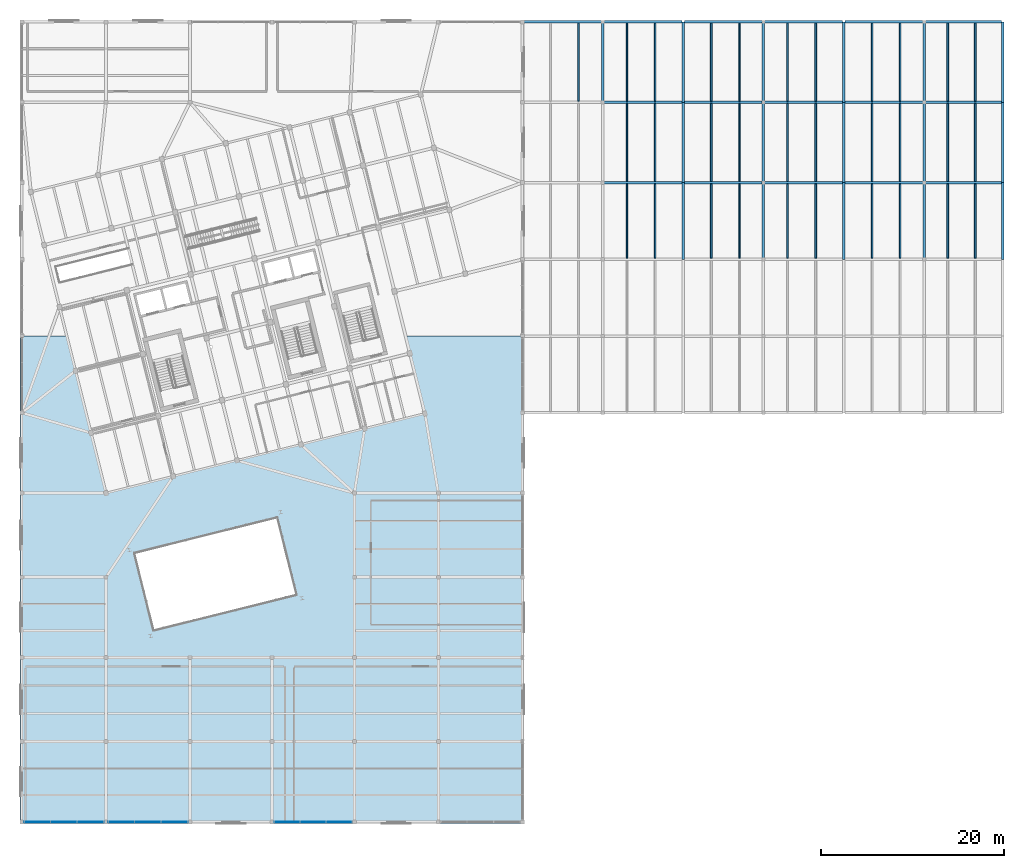
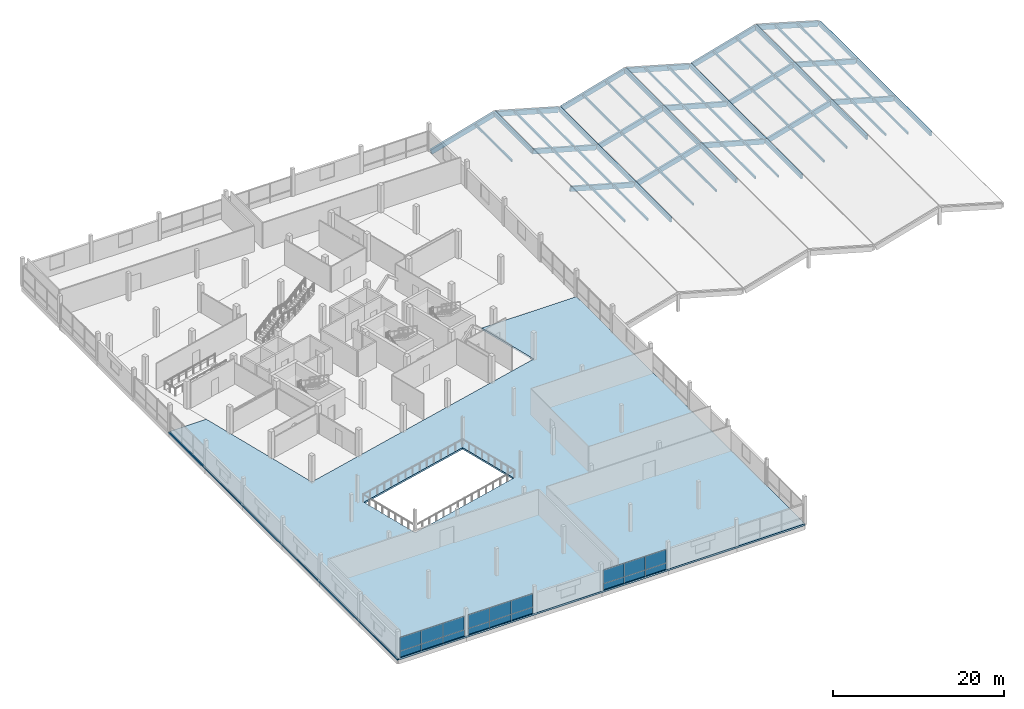
# One storey, part 38 of 47: 32 beams, 31 members, 18 plates, 2 slabs, 3 elements without a shape of their own.
"""IFC4 building model written with IfcOpenShell, lengths in metres."""

from ifc_helpers import new_model, si_unit, direction, frame, origin, origin_2d, place, context, subcontext, project, spatial, polyline, rectangle, outline, extrude, material, layer, layer_set, material_profile, profile_set, type_object, element, aggregate, save


model = new_model("IFC4")

# Units and contexts
model_context = context("Model", 3, precision=1e-05, world=origin(), true_north=direction((0.0, 1.0)))
body_context = subcontext(model_context, "Body", "Model", "MODEL_VIEW")
ifc_project = project(units=[si_unit("LENGTHUNIT", "METRE"), si_unit("AREAUNIT", "SQUARE_METRE"), si_unit("VOLUMEUNIT", "CUBIC_METRE"), si_unit("PLANEANGLEUNIT", "RADIAN"), si_unit("MASSUNIT", "GRAM", prefix="KILO")], contexts=[model_context])

# Site, building, storey
site_placement = place(None, origin())
site = spatial("IfcSite", under=ifc_project, at=site_placement, CompositionType="ELEMENT")
building_placement = place(site_placement, origin())
building = spatial("IfcBuilding", under=site, at=building_placement, Name="Meriwether Solvik Hall", CompositionType="ELEMENT")
storey_placement = place(building_placement, frame((0.0, 0.0, 18.300048828125)))
storey = spatial("IfcBuildingStorey", under=building, at=storey_placement, Name="L04", CompositionType="ELEMENT", Elevation=18.300048828125)

# Beams
ifc_material_1 = material(Name="Glulam Douglas-Fir 24F-V8 GL28h", Category="wood")
ifc_material_profile_1 = material_profile(ifc_material_1, rectangle(XDim=0.27294921875, YDim=0.610107421875, at=origin_2d()), Name="GLB-273X610")
ifc_profile_set_1 = profile_set([ifc_material_profile_1], Name="Glulam Douglas-Fir 24F-V8 GL28h")
beam_type_1 = type_object("IfcBeamType", Name="BM-GL-273X610", PredefinedType="SPANDREL", material=ifc_profile_set_1)
beam_1_placement = place(storey_placement, frame((123.0, 84.0, 2.15576171875), z_axis=(0.0, 1.0, 0.0), x_axis=(-1.0, 0.0, 0.0)))
element("IfcBeam", 1, at=beam_1_placement, inside=storey, type_object=beam_type_1, Name="Roof Tie Beam 14:J-K (L04)", PredefinedType="SPANDREL", context=body_context, shape_type="SweptSolid", body=[
    extrude(rectangle(XDim=0.27294921875, YDim=0.610107421875, at=origin_2d()), origin(), (0.0, 0.0, 1.0), 8.800048828125),
])
beam_2_placement = place(storey_placement, frame((131.800048828125, 66.800048828125, -0.32421875), z_axis=(0.0, 1.0, 0.0), x_axis=(-1.0, 0.0, 0.0)))
element("IfcBeam", 2, at=beam_2_placement, inside=storey, type_object=beam_type_1, Name="Roof Tie Beam 15:H-I (L04)", PredefinedType="SPANDREL", context=body_context, shape_type="SweptSolid", body=[
    extrude(rectangle(XDim=0.27294921875, YDim=0.610107421875, at=origin_2d()), origin(), (0.0, 0.0, 1.0), 8.39990234375),
])
for number, where, z_axis, x_axis, name in (
    (3, (131.800048828125, 75.199951171875, -0.32421875), (0.0, 1.0, 0.0), (-1.0, 0.0, 0.0), "Roof Tie Beam 15:I-J (L04)"),
    (4, (131.800048828125, 84.0, -0.32421875), (0.0, 1.0, 0.0), (-1.0, 0.0, 0.0), "Roof Tie Beam 15:J-K (L04)"),
):
    element("IfcBeam", number, at=place(storey_placement, frame(where, z_axis=z_axis, x_axis=x_axis)), inside=storey, type_object=beam_type_1, Name=name, PredefinedType="SPANDREL", context=body_context, shape_type="SweptSolid", body=[
        extrude(rectangle(XDim=0.27294921875, YDim=0.610107421875, at=origin_2d()), origin(), (0.0, 0.0, 1.0), 8.800048828125),
    ])
beam_3_placement = place(storey_placement, frame((140.60009765625, 66.800048828125, 2.15576171875), z_axis=(0.0, 1.0, 0.0), x_axis=(-1.0, 0.0, 0.0)))
element("IfcBeam", 5, at=beam_3_placement, inside=storey, type_object=beam_type_1, Name="Roof Tie Beam 16:H-I (L04)", PredefinedType="SPANDREL", context=body_context, shape_type="SweptSolid", body=[
    extrude(rectangle(XDim=0.27294921875, YDim=0.610107421875, at=origin_2d()), origin(), (0.0, 0.0, 1.0), 8.39990234375),
])
for number, where, z_axis, x_axis, name in (
    (6, (140.60009765625, 75.199951171875, 2.15576171875), (0.0, 1.0, 0.0), (-1.0, 0.0, 0.0), "Roof Tie Beam 16:I-J (L04)"),
    (7, (140.60009765625, 84.0, 2.15576171875), (0.0, 1.0, 0.0), (-1.0, 0.0, 0.0), "Roof Tie Beam 16:J-K (L04)"),
):
    element("IfcBeam", number, at=place(storey_placement, frame(where, z_axis=z_axis, x_axis=x_axis)), inside=storey, type_object=beam_type_1, Name=name, PredefinedType="SPANDREL", context=body_context, shape_type="SweptSolid", body=[
        extrude(rectangle(XDim=0.27294921875, YDim=0.610107421875, at=origin_2d()), origin(), (0.0, 0.0, 1.0), 8.800048828125),
    ])
beam_4_placement = place(storey_placement, frame((149.39990234375, 66.800048828125, -0.32421875), z_axis=(0.0, 1.0, 0.0), x_axis=(-1.0, 0.0, 0.0)))
element("IfcBeam", 8, at=beam_4_placement, inside=storey, type_object=beam_type_1, Name="Roof Tie Beam 17:H-I (L04)", PredefinedType="SPANDREL", context=body_context, shape_type="SweptSolid", body=[
    extrude(rectangle(XDim=0.27294921875, YDim=0.610107421875, at=origin_2d()), origin(), (0.0, 0.0, 1.0), 8.39990234375),
])
for number, where, z_axis, x_axis, name in (
    (9, (149.39990234375, 75.199951171875, -0.32421875), (0.0, 1.0, 0.0), (-1.0, 0.0, 0.0), "Roof Tie Beam 17:I-J (L04)"),
    (10, (149.39990234375, 84.0, -0.32421875), (0.0, 1.0, 0.0), (-1.0, 0.0, 0.0), "Roof Tie Beam 17:J-K (L04)"),
):
    element("IfcBeam", number, at=place(storey_placement, frame(where, z_axis=z_axis, x_axis=x_axis)), inside=storey, type_object=beam_type_1, Name=name, PredefinedType="SPANDREL", context=body_context, shape_type="SweptSolid", body=[
        extrude(rectangle(XDim=0.27294921875, YDim=0.610107421875, at=origin_2d()), origin(), (0.0, 0.0, 1.0), 8.800048828125),
    ])
beam_5_placement = place(storey_placement, frame((158.199951171875, 66.800048828125, 2.15576171875), z_axis=(0.0, 1.0, 0.0), x_axis=(-1.0, 0.0, 0.0)))
element("IfcBeam", 11, at=beam_5_placement, inside=storey, type_object=beam_type_1, Name="Roof Tie Beam 18:H-I (L04)", PredefinedType="SPANDREL", context=body_context, shape_type="SweptSolid", body=[
    extrude(rectangle(XDim=0.27294921875, YDim=0.610107421875, at=origin_2d()), origin(), (0.0, 0.0, 1.0), 8.39990234375),
])
for number, where, z_axis, x_axis, name in (
    (12, (158.199951171875, 75.199951171875, 2.15576171875), (0.0, 1.0, 0.0), (-1.0, 0.0, 0.0), "Roof Tie Beam 18:I-J (L04)"),
    (13, (158.199951171875, 84.0, 2.15576171875), (0.0, 1.0, 0.0), (-1.0, 0.0, 0.0), "Roof Tie Beam 18:J-K (L04)"),
):
    element("IfcBeam", number, at=place(storey_placement, frame(where, z_axis=z_axis, x_axis=x_axis)), inside=storey, type_object=beam_type_1, Name=name, PredefinedType="SPANDREL", context=body_context, shape_type="SweptSolid", body=[
        extrude(rectangle(XDim=0.27294921875, YDim=0.610107421875, at=origin_2d()), origin(), (0.0, 0.0, 1.0), 8.800048828125),
    ])
beam_6_placement = place(storey_placement, frame((166.800048828125, 66.800048828125, -0.324462890625), z_axis=(0.0, 1.0, 0.0), x_axis=(-1.0, 0.0, 0.0)))
element("IfcBeam", 14, at=beam_6_placement, inside=storey, type_object=beam_type_1, Name="Roof Tie Beam 19:H-I (L04)", PredefinedType="SPANDREL", context=body_context, shape_type="SweptSolid", body=[
    extrude(rectangle(XDim=0.27294921875, YDim=0.610107421875, at=origin_2d()), origin(), (0.0, 0.0, 1.0), 8.39990234375),
])
for number, where, z_axis, x_axis, name in (
    (15, (166.800048828125, 75.199951171875, -0.324462890625), (0.0, 1.0, 0.0), (-1.0, 0.0, 0.0), "Roof Tie Beam 19:I-J (L04)"),
    (16, (166.800048828125, 84.0, -0.324462890625), (0.0, 1.0, 0.0), (-1.0, 0.0, 0.0), "Roof Tie Beam 19:J-K (L04)"),
):
    element("IfcBeam", number, at=place(storey_placement, frame(where, z_axis=z_axis, x_axis=x_axis)), inside=storey, type_object=beam_type_1, Name=name, PredefinedType="SPANDREL", context=body_context, shape_type="SweptSolid", body=[
        extrude(rectangle(XDim=0.27294921875, YDim=0.610107421875, at=origin_2d()), origin(), (0.0, 0.0, 1.0), 8.800048828125),
    ])
ifc_material_2 = material(Name="Glulam Douglas-Fir 24F-V8 GL28h", Category="wood")
ifc_material_profile_2 = material_profile(ifc_material_2, rectangle(XDim=0.27294921875, YDim=0.68505859375, at=origin_2d()), Name="GLB-273X685")
ifc_profile_set_2 = profile_set([ifc_material_profile_2], Name="Glulam Douglas-Fir 24F-V8 GL28h")
beam_type_2 = type_object("IfcBeamType", Name="BM-GL-273X685", PredefinedType="BEAM", material=ifc_profile_set_2)
for number, where, z_axis, x_axis, name in (
    (17, (114.4208984375, 92.800048828125, -0.31298828125), (0.962504746474, 0.0, 0.271264839252), (0.0, 1.0, 0.0), "Raking Glulam Roof Rafter w3_fold_1w-K (L04)"),
    (18, (131.5791015625, 75.199951171875, -0.31298828125), (-0.962504746474, 0.0, 0.271264839252), (0.0, -1.0, 0.0), "Raking Glulam Roof Rafter w3_fold_1e-I (L04)"),
    (19, (131.5791015625, 84.0, -0.31298828125), (-0.962504746474, 0.0, 0.271264839252), (0.0, -1.0, 0.0), "Raking Glulam Roof Rafter w3_fold_1e-J (L04)"),
    (20, (131.5791015625, 92.800048828125, -0.31298828125), (-0.962504746474, 0.0, 0.271264839252), (0.0, -1.0, 0.0), "Raking Glulam Roof Rafter w3_fold_1e-K (L04)"),
    (21, (132.02099609375, 75.199951171875, -0.31298828125), (0.962504746474, 0.0, 0.271264839252), (0.0, 1.0, 0.0), "Raking Glulam Roof Rafter w3_fold_2w-I (L04)"),
    (22, (132.02099609375, 84.0, -0.31298828125), (0.962504746474, 0.0, 0.271264839252), (0.0, 1.0, 0.0), "Raking Glulam Roof Rafter w3_fold_2w-J (L04)"),
    (23, (132.02099609375, 92.800048828125, -0.31298828125), (0.962504746474, 0.0, 0.271264839252), (0.0, 1.0, 0.0), "Raking Glulam Roof Rafter w3_fold_2w-K (L04)"),
):
    element("IfcBeam", number, at=place(storey_placement, frame(where, z_axis=z_axis, x_axis=x_axis)), inside=storey, type_object=beam_type_2, Name=name, PredefinedType="BEAM", context=body_context, shape_type="SweptSolid", body=[
        extrude(rectangle(XDim=0.27294921875, YDim=0.68505859375, at=origin_2d()), origin(), (0.0, 0.0, 1.0), 8.876708984375),
    ])
for number, where, z_axis, x_axis, name in (
    (24, (149.17919921875, 75.199951171875, -0.31298828125), (-0.962506770212, 0.0, 0.271257658502), (0.0, -1.0, 0.0), "Raking Glulam Roof Rafter w3_fold_2e-I (L04)"),
    (25, (149.17919921875, 84.0, -0.31298828125), (-0.962506770212, 0.0, 0.271257658502), (0.0, -1.0, 0.0), "Raking Glulam Roof Rafter w3_fold_2e-J (L04)"),
    (26, (149.17919921875, 92.800048828125, -0.31298828125), (-0.962506770212, 0.0, 0.271257658502), (0.0, -1.0, 0.0), "Raking Glulam Roof Rafter w3_fold_2e-K (L04)"),
):
    element("IfcBeam", number, at=place(storey_placement, frame(where, z_axis=z_axis, x_axis=x_axis)), inside=storey, type_object=beam_type_2, Name=name, PredefinedType="BEAM", context=body_context, shape_type="SweptSolid", body=[
        extrude(rectangle(XDim=0.27294921875, YDim=0.68505859375, at=origin_2d()), origin(), (0.0, 0.0, 1.0), 8.876953125),
    ])
for number, where, z_axis, x_axis, name in (
    (27, (149.620849609375, 75.199951171875, -0.31298828125), (0.962504746474, 0.0, 0.271264839252), (0.0, 1.0, 0.0), "Raking Glulam Roof Rafter w3_fold_3w-I (L04)"),
    (28, (149.620849609375, 84.0, -0.31298828125), (0.962504746474, 0.0, 0.271264839252), (0.0, 1.0, 0.0), "Raking Glulam Roof Rafter w3_fold_3w-J (L04)"),
    (29, (149.620849609375, 92.800048828125, -0.31298828125), (0.962504746474, 0.0, 0.271264839252), (0.0, 1.0, 0.0), "Raking Glulam Roof Rafter w3_fold_3w-K (L04)"),
):
    element("IfcBeam", number, at=place(storey_placement, frame(where, z_axis=z_axis, x_axis=x_axis)), inside=storey, type_object=beam_type_2, Name=name, PredefinedType="BEAM", context=body_context, shape_type="SweptSolid", body=[
        extrude(rectangle(XDim=0.27294921875, YDim=0.68505859375, at=origin_2d()), origin(), (0.0, 0.0, 1.0), 8.876708984375),
    ])
for number, where, z_axis, x_axis, name in (
    (30, (166.5771484375, 75.199951171875, -0.311767578125), (-0.960844177136, 0.0, 0.277089276702), (0.0, -1.0, 0.0), "Raking Glulam Roof Rafter w3_fold_3e-I (L04)"),
    (31, (166.5771484375, 84.0, -0.311767578125), (-0.960844177136, 0.0, 0.277089276702), (0.0, -1.0, 0.0), "Raking Glulam Roof Rafter w3_fold_3e-J (L04)"),
    (32, (166.5771484375, 92.800048828125, -0.311767578125), (-0.960844177136, 0.0, 0.277089276702), (0.0, -1.0, 0.0), "Raking Glulam Roof Rafter w3_fold_3e-K (L04)"),
):
    element("IfcBeam", number, at=place(storey_placement, frame(where, z_axis=z_axis, x_axis=x_axis)), inside=storey, type_object=beam_type_2, Name=name, PredefinedType="BEAM", context=body_context, shape_type="SweptSolid", body=[
        extrude(rectangle(XDim=0.27294921875, YDim=0.68505859375, at=origin_2d()), origin(), (0.0, 0.0, 1.0), 8.68408203125),
    ])

# Members
ifc_material_3 = material(Name="Glulam Douglas-Fir 24F-V8 GL28h", Category="wood")
ifc_material_profile_3 = material_profile(ifc_material_3, rectangle(XDim=0.175048828125, YDim=0.304931640625, at=origin_2d()), Name="GLM-175X305")
ifc_profile_set_3 = profile_set([ifc_material_profile_3], Name="Glulam Douglas-Fir 24F-V8 GL28h")
member_type = type_object("IfcMemberType", Name="MEM-PRL-GL175", PredefinedType="PURLIN", material=ifc_profile_set_3)
member_placement = place(storey_placement, frame((120.360107421875, 84.132568359375, 1.564208984375), z_axis=(0.0, 1.0, 0.0), x_axis=(-1.0, 0.0, 0.0)))
element("IfcMember", 33, at=member_placement, inside=storey, type_object=member_type, Name="Sloped Roof Glulam Purlin w3_fold_1w-5.2", PredefinedType="PURLIN", context=body_context, shape_type="SweptSolid", body=[
    extrude(rectangle(XDim=0.175048828125, YDim=0.304931640625, at=origin_2d()), origin(), (0.0, 0.0, 1.0), 8.534912109375),
])
for number, where, z_axis, x_axis, name in (
    (34, (128.719970703125, 66.9326171875, 0.6962890625), (0.0, 1.0, 0.0), (-1.0, 0.0, 0.0), "Sloped Roof Glulam Purlin w3_fold_1e-3.1"),
    (35, (125.639892578125, 66.9326171875, 1.564208984375), (0.0, 1.0, 0.0), (-1.0, 0.0, 0.0), "Sloped Roof Glulam Purlin w3_fold_1e-3.2"),
):
    element("IfcMember", number, at=place(storey_placement, frame(where, z_axis=z_axis, x_axis=x_axis)), inside=storey, type_object=member_type, Name=name, PredefinedType="PURLIN", context=body_context, shape_type="SweptSolid", body=[
        extrude(rectangle(XDim=0.175048828125, YDim=0.304931640625, at=origin_2d()), origin(), (0.0, 0.0, 1.0), 8.134765625),
    ])
for number, where, z_axis, x_axis, name in (
    (36, (128.719970703125, 75.33251953125, 0.6962890625), (0.0, 1.0, 0.0), (-1.0, 0.0, 0.0), "Sloped Roof Glulam Purlin w3_fold_1e-4.1"),
    (37, (125.639892578125, 75.33251953125, 1.564208984375), (0.0, 1.0, 0.0), (-1.0, 0.0, 0.0), "Sloped Roof Glulam Purlin w3_fold_1e-4.2"),
    (38, (128.719970703125, 84.132568359375, 0.6962890625), (0.0, 1.0, 0.0), (-1.0, 0.0, 0.0), "Sloped Roof Glulam Purlin w3_fold_1e-5.1"),
    (39, (125.639892578125, 84.132568359375, 1.564208984375), (0.0, 1.0, 0.0), (-1.0, 0.0, 0.0), "Sloped Roof Glulam Purlin w3_fold_1e-5.2"),
):
    element("IfcMember", number, at=place(storey_placement, frame(where, z_axis=z_axis, x_axis=x_axis)), inside=storey, type_object=member_type, Name=name, PredefinedType="PURLIN", context=body_context, shape_type="SweptSolid", body=[
        extrude(rectangle(XDim=0.175048828125, YDim=0.304931640625, at=origin_2d()), origin(), (0.0, 0.0, 1.0), 8.534912109375),
    ])
for number, where, z_axis, x_axis, name in (
    (40, (134.8798828125, 66.9326171875, 0.6962890625), (0.0, 1.0, 0.0), (-1.0, 0.0, 0.0), "Sloped Roof Glulam Purlin w3_fold_2w-3.1"),
    (41, (137.9599609375, 66.9326171875, 1.564208984375), (0.0, 1.0, 0.0), (-1.0, 0.0, 0.0), "Sloped Roof Glulam Purlin w3_fold_2w-3.2"),
):
    element("IfcMember", number, at=place(storey_placement, frame(where, z_axis=z_axis, x_axis=x_axis)), inside=storey, type_object=member_type, Name=name, PredefinedType="PURLIN", context=body_context, shape_type="SweptSolid", body=[
        extrude(rectangle(XDim=0.175048828125, YDim=0.304931640625, at=origin_2d()), origin(), (0.0, 0.0, 1.0), 8.134765625),
    ])
for number, where, z_axis, x_axis, name in (
    (42, (134.8798828125, 75.33251953125, 0.6962890625), (0.0, 1.0, 0.0), (-1.0, 0.0, 0.0), "Sloped Roof Glulam Purlin w3_fold_2w-4.1"),
    (43, (137.9599609375, 75.33251953125, 1.564208984375), (0.0, 1.0, 0.0), (-1.0, 0.0, 0.0), "Sloped Roof Glulam Purlin w3_fold_2w-4.2"),
    (44, (134.8798828125, 84.132568359375, 0.6962890625), (0.0, 1.0, 0.0), (-1.0, 0.0, 0.0), "Sloped Roof Glulam Purlin w3_fold_2w-5.1"),
    (45, (137.9599609375, 84.132568359375, 1.564208984375), (0.0, 1.0, 0.0), (-1.0, 0.0, 0.0), "Sloped Roof Glulam Purlin w3_fold_2w-5.2"),
):
    element("IfcMember", number, at=place(storey_placement, frame(where, z_axis=z_axis, x_axis=x_axis)), inside=storey, type_object=member_type, Name=name, PredefinedType="PURLIN", context=body_context, shape_type="SweptSolid", body=[
        extrude(rectangle(XDim=0.175048828125, YDim=0.304931640625, at=origin_2d()), origin(), (0.0, 0.0, 1.0), 8.534912109375),
    ])
for number, where, z_axis, x_axis, name in (
    (46, (146.320068359375, 66.9326171875, 0.6962890625), (0.0, 1.0, 0.0), (-1.0, 0.0, 0.0), "Sloped Roof Glulam Purlin w3_fold_2e-3.1"),
    (47, (143.239990234375, 66.9326171875, 1.564208984375), (0.0, 1.0, 0.0), (-1.0, 0.0, 0.0), "Sloped Roof Glulam Purlin w3_fold_2e-3.2"),
):
    element("IfcMember", number, at=place(storey_placement, frame(where, z_axis=z_axis, x_axis=x_axis)), inside=storey, type_object=member_type, Name=name, PredefinedType="PURLIN", context=body_context, shape_type="SweptSolid", body=[
        extrude(rectangle(XDim=0.175048828125, YDim=0.304931640625, at=origin_2d()), origin(), (0.0, 0.0, 1.0), 8.134765625),
    ])
for number, where, z_axis, x_axis, name in (
    (48, (146.320068359375, 75.33251953125, 0.6962890625), (0.0, 1.0, 0.0), (-1.0, 0.0, 0.0), "Sloped Roof Glulam Purlin w3_fold_2e-4.1"),
    (49, (143.239990234375, 75.33251953125, 1.564208984375), (0.0, 1.0, 0.0), (-1.0, 0.0, 0.0), "Sloped Roof Glulam Purlin w3_fold_2e-4.2"),
    (50, (146.320068359375, 84.132568359375, 0.6962890625), (0.0, 1.0, 0.0), (-1.0, 0.0, 0.0), "Sloped Roof Glulam Purlin w3_fold_2e-5.1"),
    (51, (143.239990234375, 84.132568359375, 1.564208984375), (0.0, 1.0, 0.0), (-1.0, 0.0, 0.0), "Sloped Roof Glulam Purlin w3_fold_2e-5.2"),
):
    element("IfcMember", number, at=place(storey_placement, frame(where, z_axis=z_axis, x_axis=x_axis)), inside=storey, type_object=member_type, Name=name, PredefinedType="PURLIN", context=body_context, shape_type="SweptSolid", body=[
        extrude(rectangle(XDim=0.175048828125, YDim=0.304931640625, at=origin_2d()), origin(), (0.0, 0.0, 1.0), 8.534912109375),
    ])
for number, where, z_axis, x_axis, name in (
    (52, (152.47998046875, 66.9326171875, 0.6962890625), (0.0, 1.0, 0.0), (-1.0, 0.0, 0.0), "Sloped Roof Glulam Purlin w3_fold_3w-3.1"),
    (53, (155.56005859375, 66.9326171875, 1.564208984375), (0.0, 1.0, 0.0), (-1.0, 0.0, 0.0), "Sloped Roof Glulam Purlin w3_fold_3w-3.2"),
):
    element("IfcMember", number, at=place(storey_placement, frame(where, z_axis=z_axis, x_axis=x_axis)), inside=storey, type_object=member_type, Name=name, PredefinedType="PURLIN", context=body_context, shape_type="SweptSolid", body=[
        extrude(rectangle(XDim=0.175048828125, YDim=0.304931640625, at=origin_2d()), origin(), (0.0, 0.0, 1.0), 8.134765625),
    ])
for number, where, z_axis, x_axis, name in (
    (54, (152.47998046875, 75.33251953125, 0.6962890625), (0.0, 1.0, 0.0), (-1.0, 0.0, 0.0), "Sloped Roof Glulam Purlin w3_fold_3w-4.1"),
    (55, (155.56005859375, 75.33251953125, 1.564208984375), (0.0, 1.0, 0.0), (-1.0, 0.0, 0.0), "Sloped Roof Glulam Purlin w3_fold_3w-4.2"),
    (56, (152.47998046875, 84.132568359375, 0.6962890625), (0.0, 1.0, 0.0), (-1.0, 0.0, 0.0), "Sloped Roof Glulam Purlin w3_fold_3w-5.1"),
    (57, (155.56005859375, 84.132568359375, 1.564208984375), (0.0, 1.0, 0.0), (-1.0, 0.0, 0.0), "Sloped Roof Glulam Purlin w3_fold_3w-5.2"),
):
    element("IfcMember", number, at=place(storey_placement, frame(where, z_axis=z_axis, x_axis=x_axis)), inside=storey, type_object=member_type, Name=name, PredefinedType="PURLIN", context=body_context, shape_type="SweptSolid", body=[
        extrude(rectangle(XDim=0.175048828125, YDim=0.304931640625, at=origin_2d()), origin(), (0.0, 0.0, 1.0), 8.534912109375),
    ])
for number, where, z_axis, x_axis, name in (
    (58, (163.7900390625, 66.9326171875, 0.696044921875), (0.0, 1.0, 0.0), (-1.0, 0.0, 0.0), "Sloped Roof Glulam Purlin w3_fold_3e-3.1"),
    (59, (160.780029296875, 66.9326171875, 1.56396484375), (0.0, 1.0, 0.0), (-1.0, 0.0, 0.0), "Sloped Roof Glulam Purlin w3_fold_3e-3.2"),
):
    element("IfcMember", number, at=place(storey_placement, frame(where, z_axis=z_axis, x_axis=x_axis)), inside=storey, type_object=member_type, Name=name, PredefinedType="PURLIN", context=body_context, shape_type="SweptSolid", body=[
        extrude(rectangle(XDim=0.175048828125, YDim=0.304931640625, at=origin_2d()), origin(), (0.0, 0.0, 1.0), 8.134765625),
    ])
for number, where, z_axis, x_axis, name in (
    (60, (163.7900390625, 75.33251953125, 0.696044921875), (0.0, 1.0, 0.0), (-1.0, 0.0, 0.0), "Sloped Roof Glulam Purlin w3_fold_3e-4.1"),
    (61, (160.780029296875, 75.33251953125, 1.56396484375), (0.0, 1.0, 0.0), (-1.0, 0.0, 0.0), "Sloped Roof Glulam Purlin w3_fold_3e-4.2"),
    (62, (163.7900390625, 84.132568359375, 0.696044921875), (0.0, 1.0, 0.0), (-1.0, 0.0, 0.0), "Sloped Roof Glulam Purlin w3_fold_3e-5.1"),
    (63, (160.780029296875, 84.132568359375, 1.56396484375), (0.0, 1.0, 0.0), (-1.0, 0.0, 0.0), "Sloped Roof Glulam Purlin w3_fold_3e-5.2"),
):
    element("IfcMember", number, at=place(storey_placement, frame(where, z_axis=z_axis, x_axis=x_axis)), inside=storey, type_object=member_type, Name=name, PredefinedType="PURLIN", context=body_context, shape_type="SweptSolid", body=[
        extrude(rectangle(XDim=0.175048828125, YDim=0.304931640625, at=origin_2d()), origin(), (0.0, 0.0, 1.0), 8.534912109375),
    ])

# Curtain wall, plates
ifc_material_4 = material(Name="Thermally Broken Anodised Aluminium 6063-T6 and Low-E Glass", Category="aluminium")
ifc_layer_1 = layer(ifc_material_4, 0.179931640625)
ifc_layer_set_1 = layer_set([ifc_layer_1], Name="Thermally Broken Anodised Aluminium 6063-T6 and Low-E Glass")
curtain_wall_type = type_object("IfcCurtainWallType", Name="CW-UNIT-E", PredefinedType="USERDEFINED", material=ifc_layer_set_1)
curtain_wall_1_placement = place(storey_placement, origin())
curtain_wall_1 = element("IfcCurtainWall", 64, at=curtain_wall_1_placement, inside=storey, type_object=curtain_wall_type, Name="Curtain Wall wing_XA_7_0 (L04)", ObjectType="UNITISED CURTAIN WALL", PredefinedType="USERDEFINED")
ifc_material_5 = material(Name="Low-Emissivity Double-Glazed Laminated Glass", Category="glass")
ifc_layer_2 = layer(ifc_material_5, 0.031982421875)
ifc_layer_set_2 = layer_set([ifc_layer_2], Name="Low-Emissivity Double-Glazed Laminated Glass")
plate_type_1 = type_object("IfcPlateType", Name="PLT-GLZ-225X195", PredefinedType="CURTAIN_PANEL", material=ifc_layer_set_2)
plate_1_placement = place(storey_placement, frame((66.899658203125, 5.199951171875, 0.8564453125), z_axis=(0.0, 0.0, 1.0), x_axis=(-1.0, 0.0, 0.0)))
plate_1 = element("IfcPlate", 65, at=plate_1_placement, type_object=plate_type_1, Name="Low-E Vision Glazing Panel 1", PredefinedType="CURTAIN_PANEL", context=body_context, shape_type="SweptSolid", body=[
    extrude(rectangle(XDim=2.872802734375, YDim=0.033935546875, at=origin_2d()), origin(), (0.0, 0.0, 1.0), 1.9384765625),
])
plate_2_placement = place(storey_placement, frame((64.0, 5.199951171875, 0.8564453125), z_axis=(0.0, 0.0, 1.0), x_axis=(-1.0, 0.0, 0.0)))
plate_2 = element("IfcPlate", 66, at=plate_2_placement, type_object=plate_type_1, Name="Low-E Vision Glazing Panel 2", PredefinedType="CURTAIN_PANEL", context=body_context, shape_type="SweptSolid", body=[
    extrude(rectangle(XDim=2.91064453125, YDim=0.033935546875, at=origin_2d()), origin(), (0.0, 0.0, 1.0), 1.9384765625),
])
plate_3_placement = place(storey_placement, frame((61.100341796875, 5.199951171875, 0.8564453125), z_axis=(0.0, 0.0, 1.0), x_axis=(-1.0, 0.0, 0.0)))
plate_3 = element("IfcPlate", 67, at=plate_3_placement, type_object=plate_type_1, Name="Low-E Vision Glazing Panel 3", PredefinedType="CURTAIN_PANEL", context=body_context, shape_type="SweptSolid", body=[
    extrude(rectangle(XDim=2.872802734375, YDim=0.033935546875, at=origin_2d()), origin(), (0.0, 0.0, 1.0), 1.9384765625),
])

curtain_wall_2_placement = place(storey_placement, origin())
curtain_wall_2 = element("IfcCurtainWall", 68, at=curtain_wall_2_placement, inside=storey, type_object=curtain_wall_type, Name="Curtain Wall wing_XA_8_1 (L04)", ObjectType="UNITISED CURTAIN WALL", PredefinedType="USERDEFINED")
plate_4_placement = place(storey_placement, frame((76.099609375, 5.199951171875, 0.8564453125), z_axis=(0.0, 0.0, 1.0), x_axis=(-1.0, 0.0, 0.0)))
plate_4 = element("IfcPlate", 69, at=plate_4_placement, type_object=plate_type_1, Name="Low-E Vision Glazing Panel 1", PredefinedType="CURTAIN_PANEL", context=body_context, shape_type="SweptSolid", body=[
    extrude(rectangle(XDim=2.872802734375, YDim=0.033935546875, at=origin_2d()), origin(), (0.0, 0.0, 1.0), 1.9384765625),
])
plate_5_placement = place(storey_placement, frame((73.199951171875, 5.199951171875, 0.8564453125), z_axis=(0.0, 0.0, 1.0), x_axis=(-1.0, 0.0, 0.0)))
plate_5 = element("IfcPlate", 70, at=plate_5_placement, type_object=plate_type_1, Name="Low-E Vision Glazing Panel 2", PredefinedType="CURTAIN_PANEL", context=body_context, shape_type="SweptSolid", body=[
    extrude(rectangle(XDim=2.91064453125, YDim=0.033935546875, at=origin_2d()), origin(), (0.0, 0.0, 1.0), 1.9384765625),
])
plate_6_placement = place(storey_placement, frame((70.30029296875, 5.199951171875, 0.8564453125), z_axis=(0.0, 0.0, 1.0), x_axis=(-1.0, 0.0, 0.0)))
plate_6 = element("IfcPlate", 71, at=plate_6_placement, type_object=plate_type_1, Name="Low-E Vision Glazing Panel 3", PredefinedType="CURTAIN_PANEL", context=body_context, shape_type="SweptSolid", body=[
    extrude(rectangle(XDim=2.872802734375, YDim=0.033935546875, at=origin_2d()), origin(), (0.0, 0.0, 1.0), 1.9384765625),
])

curtain_wall_3_placement = place(storey_placement, origin())
curtain_wall_3 = element("IfcCurtainWall", 72, at=curtain_wall_3_placement, inside=storey, type_object=curtain_wall_type, Name="Curtain Wall wing_XA_10_3 (L04)", ObjectType="UNITISED CURTAIN WALL", PredefinedType="USERDEFINED")
plate_7_placement = place(storey_placement, frame((94.133056640625, 5.199951171875, 0.8564453125), z_axis=(0.0, 0.0, 1.0), x_axis=(-1.0, 0.0, 0.0)))
plate_7 = element("IfcPlate", 73, at=plate_7_placement, type_object=plate_type_1, Name="Low-E Vision Glazing Panel 1", PredefinedType="CURTAIN_PANEL", context=body_context, shape_type="SweptSolid", body=[
    extrude(rectangle(XDim=2.805908203125, YDim=0.033935546875, at=origin_2d()), origin(), (0.0, 0.0, 1.0), 1.9384765625),
])
plate_8_placement = place(storey_placement, frame((91.300048828125, 5.199951171875, 0.8564453125), z_axis=(0.0, 0.0, 1.0), x_axis=(-1.0, 0.0, 0.0)))
plate_8 = element("IfcPlate", 74, at=plate_8_placement, type_object=plate_type_1, Name="Low-E Vision Glazing Panel 2", PredefinedType="CURTAIN_PANEL", context=body_context, shape_type="SweptSolid", body=[
    extrude(rectangle(XDim=2.843994140625, YDim=0.033935546875, at=origin_2d()), origin(), (0.0, 0.0, 1.0), 1.9384765625),
])
plate_9_placement = place(storey_placement, frame((88.467041015625, 5.199951171875, 0.8564453125), z_axis=(0.0, 0.0, 1.0), x_axis=(-1.0, 0.0, 0.0)))
plate_9 = element("IfcPlate", 75, at=plate_9_placement, type_object=plate_type_1, Name="Low-E Vision Glazing Panel 3", PredefinedType="CURTAIN_PANEL", context=body_context, shape_type="SweptSolid", body=[
    extrude(rectangle(XDim=2.805908203125, YDim=0.033935546875, at=origin_2d()), origin(), (0.0, 0.0, 1.0), 1.9384765625),
])

# Plate
ifc_material_6 = material(Name="Mineral-Wool Insulated Anodised Aluminium 6063-T6", Category="aluminium")
ifc_layer_3 = layer(ifc_material_6, 0.044921875)
ifc_layer_set_3 = layer_set([ifc_layer_3], Name="Mineral-Wool Insulated Anodised Aluminium 6063-T6")
plate_type_2 = type_object("IfcPlateType", Name="PLT-SPN-225X085", PredefinedType="CURTAIN_PANEL", material=ifc_layer_set_3)
plate_10_placement = place(storey_placement, frame((66.899658203125, 5.199951171875, 0.0), z_axis=(0.0, 0.0, 1.0), x_axis=(-1.0, 0.0, 0.0)))
plate_10 = element("IfcPlate", 76, at=plate_10_placement, type_object=plate_type_2, Name="Insulated Spandrel Panel 1", PredefinedType="CURTAIN_PANEL", context=body_context, shape_type="SweptSolid", body=[
    extrude(rectangle(XDim=2.872802734375, YDim=0.044921875, at=origin_2d()), origin(), (0.0, 0.0, 1.0), 0.8564453125),
])

plate_11_placement = place(storey_placement, frame((64.0, 5.199951171875, 0.0), z_axis=(0.0, 0.0, 1.0), x_axis=(-1.0, 0.0, 0.0)))
plate_11 = element("IfcPlate", 77, at=plate_11_placement, type_object=plate_type_2, Name="Insulated Spandrel Panel 2", PredefinedType="CURTAIN_PANEL", context=body_context, shape_type="SweptSolid", body=[
    extrude(rectangle(XDim=2.91064453125, YDim=0.044921875, at=origin_2d()), origin(), (0.0, 0.0, 1.0), 0.8564453125),
])

plate_12_placement = place(storey_placement, frame((61.100341796875, 5.199951171875, 0.0), z_axis=(0.0, 0.0, 1.0), x_axis=(-1.0, 0.0, 0.0)))
plate_12 = element("IfcPlate", 78, at=plate_12_placement, type_object=plate_type_2, Name="Insulated Spandrel Panel 3", PredefinedType="CURTAIN_PANEL", context=body_context, shape_type="SweptSolid", body=[
    extrude(rectangle(XDim=2.872802734375, YDim=0.044921875, at=origin_2d()), origin(), (0.0, 0.0, 1.0), 0.8564453125),
])

aggregate(curtain_wall_1, [plate_10, plate_1, plate_11, plate_2, plate_12, plate_3])

plate_13_placement = place(storey_placement, frame((76.099609375, 5.199951171875, 0.0), z_axis=(0.0, 0.0, 1.0), x_axis=(-1.0, 0.0, 0.0)))
plate_13 = element("IfcPlate", 79, at=plate_13_placement, type_object=plate_type_2, Name="Insulated Spandrel Panel 1", PredefinedType="CURTAIN_PANEL", context=body_context, shape_type="SweptSolid", body=[
    extrude(rectangle(XDim=2.872802734375, YDim=0.044921875, at=origin_2d()), origin(), (0.0, 0.0, 1.0), 0.8564453125),
])

plate_14_placement = place(storey_placement, frame((73.199951171875, 5.199951171875, 0.0), z_axis=(0.0, 0.0, 1.0), x_axis=(-1.0, 0.0, 0.0)))
plate_14 = element("IfcPlate", 80, at=plate_14_placement, type_object=plate_type_2, Name="Insulated Spandrel Panel 2", PredefinedType="CURTAIN_PANEL", context=body_context, shape_type="SweptSolid", body=[
    extrude(rectangle(XDim=2.91064453125, YDim=0.044921875, at=origin_2d()), origin(), (0.0, 0.0, 1.0), 0.8564453125),
])

plate_15_placement = place(storey_placement, frame((70.30029296875, 5.199951171875, 0.0), z_axis=(0.0, 0.0, 1.0), x_axis=(-1.0, 0.0, 0.0)))
plate_15 = element("IfcPlate", 81, at=plate_15_placement, type_object=plate_type_2, Name="Insulated Spandrel Panel 3", PredefinedType="CURTAIN_PANEL", context=body_context, shape_type="SweptSolid", body=[
    extrude(rectangle(XDim=2.872802734375, YDim=0.044921875, at=origin_2d()), origin(), (0.0, 0.0, 1.0), 0.8564453125),
])

aggregate(curtain_wall_2, [plate_13, plate_4, plate_14, plate_5, plate_15, plate_6])

plate_16_placement = place(storey_placement, frame((94.133056640625, 5.199951171875, 0.0), z_axis=(0.0, 0.0, 1.0), x_axis=(-1.0, 0.0, 0.0)))
plate_16 = element("IfcPlate", 82, at=plate_16_placement, type_object=plate_type_2, Name="Insulated Spandrel Panel 1", PredefinedType="CURTAIN_PANEL", context=body_context, shape_type="SweptSolid", body=[
    extrude(rectangle(XDim=2.805908203125, YDim=0.044921875, at=origin_2d()), origin(), (0.0, 0.0, 1.0), 0.8564453125),
])

plate_17_placement = place(storey_placement, frame((91.300048828125, 5.199951171875, 0.0), z_axis=(0.0, 0.0, 1.0), x_axis=(-1.0, 0.0, 0.0)))
plate_17 = element("IfcPlate", 83, at=plate_17_placement, type_object=plate_type_2, Name="Insulated Spandrel Panel 2", PredefinedType="CURTAIN_PANEL", context=body_context, shape_type="SweptSolid", body=[
    extrude(rectangle(XDim=2.843994140625, YDim=0.044921875, at=origin_2d()), origin(), (0.0, 0.0, 1.0), 0.8564453125),
])

plate_18_placement = place(storey_placement, frame((88.467041015625, 5.199951171875, 0.0), z_axis=(0.0, 0.0, 1.0), x_axis=(-1.0, 0.0, 0.0)))
plate_18 = element("IfcPlate", 84, at=plate_18_placement, type_object=plate_type_2, Name="Insulated Spandrel Panel 3", PredefinedType="CURTAIN_PANEL", context=body_context, shape_type="SweptSolid", body=[
    extrude(rectangle(XDim=2.805908203125, YDim=0.044921875, at=origin_2d()), origin(), (0.0, 0.0, 1.0), 0.8564453125),
])

aggregate(curtain_wall_3, [plate_16, plate_7, plate_17, plate_8, plate_18, plate_9])

# Slabs
ifc_material_7 = material(Name="Cross-Laminated Timber PRG 320 E1", Category="wood")
ifc_layer_4 = layer(ifc_material_7, 0.2451171875)
ifc_layer_set_4 = layer_set([ifc_layer_4], Name="Cross-Laminated Timber PRG 320 E1")
slab_type = type_object("IfcSlabType", Name="SLB-CLT-245", PredefinedType="FLOOR", material=ifc_layer_set_4)
slab_1_placement = place(storey_placement, frame((0.0, 0.0, -0.2451171875)))
element("IfcSlab", 85, at=slab_1_placement, inside=storey, type_object=slab_type, Name="L04 Structural Slab Zone 1", PredefinedType="FLOOR", context=body_context, shape_type="SweptSolid", body=[
    extrude(outline(polyline([(59.39697265625, 5.0400390625), (59.239990234375, 5.0400390625), (59.239990234375, 58.39697265625), (59.39697265625, 58.39697265625), (59.39697265625, 5.0400390625)])), origin(), (0.0, 0.0, 1.0), 0.2451171875),
])
slab_2_placement = place(storey_placement, frame((0.0, 0.0, -0.2451171875)))
element("IfcSlab", 86, at=slab_2_placement, inside=storey, type_object=slab_type, Name="L04 Structural Slab Zone 3", PredefinedType="FLOOR", context=body_context, shape_type="SweptSolid", body=[
    extrude(outline(polyline([(114.197021484375, 5.0400390625), (59.403076171875, 5.0400390625), (59.403076171875, 58.39697265625), (64.311279296875, 58.39697265625), (68.599365234375, 41.19873046875), (103.53173828125, 49.908447265625), (101.41552734375, 58.39697265625), (114.197021484375, 58.39697265625), (114.197021484375, 5.0400390625)]), holes=[polyline([(87.322021484375, 38.447509765625), (71.79736328125, 34.57666015625), (73.8779296875, 26.232177734375), (89.402587890625, 30.10302734375), (87.322021484375, 38.447509765625)])]), origin(), (0.0, 0.0, 1.0), 0.2451171875),
])

save(model, "model.ifc")
